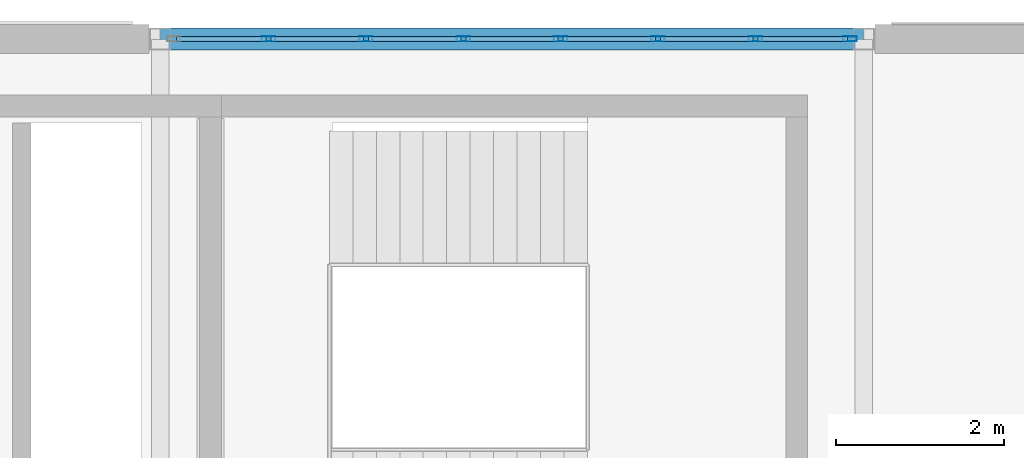
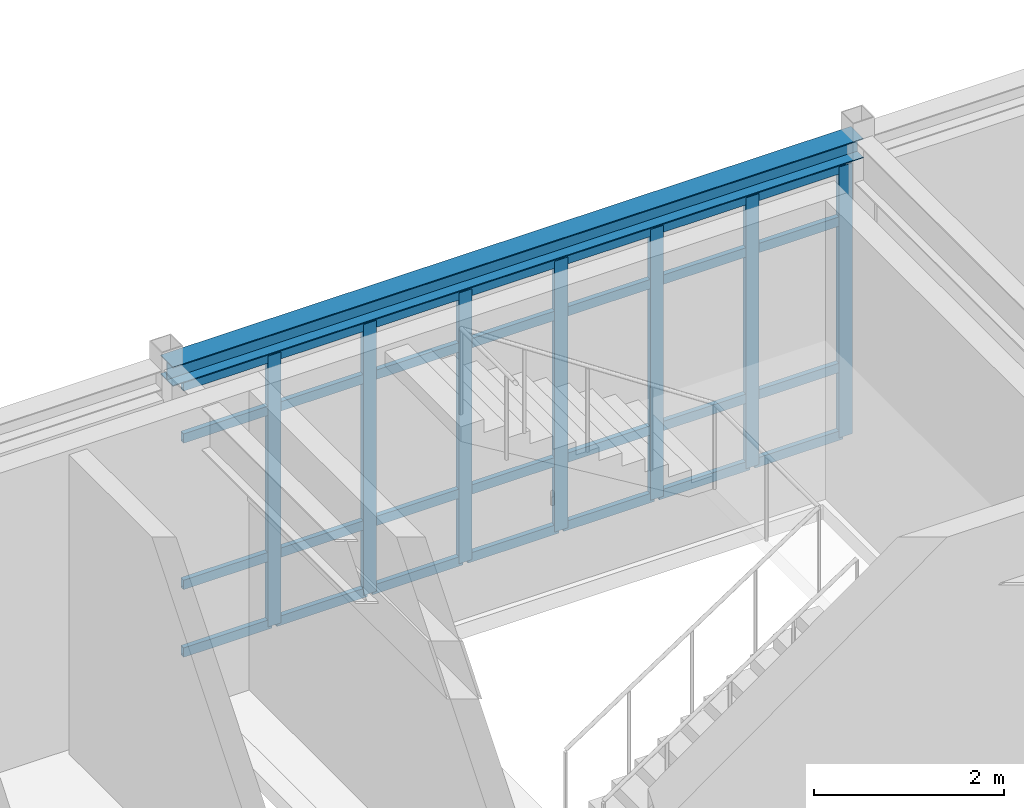
# One storey, part 107 of 189: 35 members, 1 beam, 1 element without a shape of its own.
"""IFC4 building model written with IfcOpenShell, lengths in metres."""

from ifc_helpers import new_model, si_unit, direction, frame, origin, origin_2d, place, context, subcontext, project, spatial, hollow_rectangle, i_section, extrude, material, layer, layer_set, material_profile, profile_set, type_object, element, aggregate, save


model = new_model("IFC4")

# Units and contexts
model_context = context("Model", 3, precision=1e-05, world=origin(), true_north=direction((0.0, 1.0)))
body_context = subcontext(model_context, "Body", "Model", "MODEL_VIEW")
ifc_project = project(units=[si_unit("LENGTHUNIT", "METRE"), si_unit("AREAUNIT", "SQUARE_METRE"), si_unit("VOLUMEUNIT", "CUBIC_METRE"), si_unit("PLANEANGLEUNIT", "RADIAN"), si_unit("MASSUNIT", "GRAM", prefix="KILO")], contexts=[model_context])

# Site, building, storey
site_placement = place(None, origin())
site = spatial("IfcSite", under=ifc_project, at=site_placement, CompositionType="ELEMENT")
building_placement = place(site_placement, origin())
building = spatial("IfcBuilding", under=site, at=building_placement, Name="Montecoro Central Library", CompositionType="ELEMENT")
storey_placement = place(building_placement, frame((0.0, 0.0, 9.179931640625)))
storey = spatial("IfcBuildingStorey", under=building, at=storey_placement, Name="L02", CompositionType="ELEMENT", Elevation=9.179931640625)

# Beam
ifc_material_1 = material(Name="Steel S355", Category="steel")
ifc_material_profile_1 = material_profile(ifc_material_1, i_section(OverallWidth=0.260009765625, OverallDepth=0.25, WebThickness=0.007568359375, FlangeThickness=0.012451171875, at=origin_2d()), Name="HEA 260")
ifc_profile_set_1 = profile_set([ifc_material_profile_1], Name="Steel S355")
beam_type = type_object("IfcBeamType", Name="BM-SP-HEA260", PredefinedType="SPANDREL", material=ifc_profile_set_1)
beam_placement = place(storey_placement, frame((100.0048828125, 119.0, 3.699951171875), z_axis=(1.0, 0.0, 0.0), x_axis=(0.0, 1.0, 0.0)))
element("IfcBeam", 1, at=beam_placement, inside=storey, type_object=beam_type, Name="V2-L02-BX-1314-R", PredefinedType="SPANDREL", context=body_context, shape_type="SweptSolid", body=[
    extrude(i_section(OverallWidth=0.260009765625, OverallDepth=0.25, WebThickness=0.007568359375, FlangeThickness=0.012451171875, at=origin_2d()), origin(), (0.0, 0.0, 1.0), 8.39013671875),
])

# Curtain wall, members
ifc_material_2 = material(Name="Bronze-anodised aluminium and low-E glazing", Category="aluminium")
ifc_layer = layer(ifc_material_2, 0.159912109375)
ifc_layer_set = layer_set([ifc_layer], Name="Bronze-anodised aluminium and low-E glazing")
curtain_wall_type = type_object("IfcCurtainWallType", Name="CWT-016", PredefinedType="NOTDEFINED", material=ifc_layer_set)
curtain_wall_placement = place(storey_placement, origin())
curtain_wall = element("IfcCurtainWall", 2, at=curtain_wall_placement, inside=storey, type_object=curtain_wall_type, Name="V2-L02-CW-N4", PredefinedType="NOTDEFINED")
ifc_material_3 = material(Name="Bronze-anodised aluminium", Category="aluminium")
ifc_material_profile_2 = material_profile(ifc_material_3, hollow_rectangle(XDim=0.06005859375, YDim=0.159912109375, WallThickness=0.00390625, at=origin_2d()), Name="CWM 160x60x4.0")
ifc_profile_set_2 = profile_set([ifc_material_profile_2], Name="Bronze-anodised aluminium")
member_type_1 = type_object("IfcMemberType", Name="CWM-BRZ-60", PredefinedType="MULLION", material=ifc_profile_set_2)
member_1_placement = place(storey_placement, frame((108.237060546875, 119.0, 0.0), z_axis=(0.0, 0.0, 1.0), x_axis=(0.0, -1.0, 0.0)))
member_1 = element("IfcMember", 3, at=member_1_placement, type_object=member_type_1, Name="CW-016 mullion 1", PredefinedType="MULLION", context=body_context, shape_type="SweptSolid", body=[
    extrude(hollow_rectangle(XDim=0.06005859375, YDim=0.159912109375, WallThickness=0.00390625, at=origin_2d()), origin(), (0.0, 0.0, 1.0), 3.47998046875),
])
member_2_placement = place(storey_placement, frame((107.10498046875, 119.0, 0.0), z_axis=(0.0, 0.0, 1.0), x_axis=(0.0, -1.0, 0.0)))
member_2 = element("IfcMember", 4, at=member_2_placement, type_object=member_type_1, Name="CW-016 mullion 2", PredefinedType="MULLION", context=body_context, shape_type="SweptSolid", body=[
    extrude(hollow_rectangle(XDim=0.06005859375, YDim=0.159912109375, WallThickness=0.00390625, at=origin_2d()), origin(), (0.0, 0.0, 1.0), 3.47998046875),
])
member_3_placement = place(storey_placement, frame((105.943115234375, 119.0, 0.0), z_axis=(0.0, 0.0, 1.0), x_axis=(0.0, -1.0, 0.0)))
member_3 = element("IfcMember", 5, at=member_3_placement, type_object=member_type_1, Name="CW-016 mullion 3", PredefinedType="MULLION", context=body_context, shape_type="SweptSolid", body=[
    extrude(hollow_rectangle(XDim=0.06005859375, YDim=0.159912109375, WallThickness=0.00390625, at=origin_2d()), origin(), (0.0, 0.0, 1.0), 3.47998046875),
])
member_4_placement = place(storey_placement, frame((104.781005859375, 119.0, 0.0), z_axis=(0.0, 0.0, 1.0), x_axis=(0.0, -1.0, 0.0)))
member_4 = element("IfcMember", 6, at=member_4_placement, type_object=member_type_1, Name="CW-016 mullion 4", PredefinedType="MULLION", context=body_context, shape_type="SweptSolid", body=[
    extrude(hollow_rectangle(XDim=0.06005859375, YDim=0.159912109375, WallThickness=0.00390625, at=origin_2d()), origin(), (0.0, 0.0, 1.0), 3.47998046875),
])
member_5_placement = place(storey_placement, frame((103.618896484375, 119.0, 0.0), z_axis=(0.0, 0.0, 1.0), x_axis=(0.0, -1.0, 0.0)))
member_5 = element("IfcMember", 7, at=member_5_placement, type_object=member_type_1, Name="CW-016 mullion 5", PredefinedType="MULLION", context=body_context, shape_type="SweptSolid", body=[
    extrude(hollow_rectangle(XDim=0.06005859375, YDim=0.159912109375, WallThickness=0.00390625, at=origin_2d()), origin(), (0.0, 0.0, 1.0), 3.47998046875),
])
member_6_placement = place(storey_placement, frame((102.45703125, 119.0, 0.0), z_axis=(0.0, 0.0, 1.0), x_axis=(0.0, -1.0, 0.0)))
member_6 = element("IfcMember", 8, at=member_6_placement, type_object=member_type_1, Name="CW-016 mullion 6", PredefinedType="MULLION", context=body_context, shape_type="SweptSolid", body=[
    extrude(hollow_rectangle(XDim=0.06005859375, YDim=0.159912109375, WallThickness=0.00390625, at=origin_2d()), origin(), (0.0, 0.0, 1.0), 3.47998046875),
])
member_7_placement = place(storey_placement, frame((101.294921875, 119.0, 0.0), z_axis=(0.0, 0.0, 1.0), x_axis=(0.0, -1.0, 0.0)))
member_7 = element("IfcMember", 9, at=member_7_placement, type_object=member_type_1, Name="CW-016 mullion 7", PredefinedType="MULLION", context=body_context, shape_type="SweptSolid", body=[
    extrude(hollow_rectangle(XDim=0.06005859375, YDim=0.159912109375, WallThickness=0.00390625, at=origin_2d()), origin(), (0.0, 0.0, 1.0), 3.47998046875),
])
ifc_material_profile_3 = material_profile(ifc_material_3, hollow_rectangle(XDim=0.06005859375, YDim=0.1201171875, WallThickness=0.00390625, at=origin_2d()), Name="CWT 120x60x4.0")
ifc_profile_set_3 = profile_set([ifc_material_profile_3], Name="Bronze-anodised aluminium")
member_type_2 = type_object("IfcMemberType", Name="CWT-BRZ-60", PredefinedType="USERDEFINED", material=ifc_profile_set_3)
member_8_placement = place(storey_placement, frame((108.20703125, 119.0, 0.030029296875), z_axis=(-1.0, 0.0, 0.0), x_axis=(0.0, -1.0, 0.0)))
member_8 = element("IfcMember", 10, at=member_8_placement, type_object=member_type_2, Name="CW-016 transom 1.1", ObjectType="TRANSOM", PredefinedType="USERDEFINED", context=body_context, shape_type="SweptSolid", body=[
    extrude(hollow_rectangle(XDim=0.06005859375, YDim=0.1201171875, WallThickness=0.00390625, at=origin_2d()), origin(), (0.0, 0.0, 1.0), 1.072021484375),
])
member_9_placement = place(storey_placement, frame((108.20703125, 119.0, 0.900146484375), z_axis=(-1.0, 0.0, 0.0), x_axis=(0.0, -1.0, 0.0)))
member_9 = element("IfcMember", 11, at=member_9_placement, type_object=member_type_2, Name="CW-016 transom 1.2", ObjectType="TRANSOM", PredefinedType="USERDEFINED", context=body_context, shape_type="SweptSolid", body=[
    extrude(hollow_rectangle(XDim=0.06005859375, YDim=0.1201171875, WallThickness=0.00390625, at=origin_2d()), origin(), (0.0, 0.0, 1.0), 1.072021484375),
])
member_10_placement = place(storey_placement, frame((108.20703125, 119.0, 2.780029296875), z_axis=(-1.0, 0.0, 0.0), x_axis=(0.0, -1.0, 0.0)))
member_10 = element("IfcMember", 12, at=member_10_placement, type_object=member_type_2, Name="CW-016 transom 1.3", ObjectType="TRANSOM", PredefinedType="USERDEFINED", context=body_context, shape_type="SweptSolid", body=[
    extrude(hollow_rectangle(XDim=0.06005859375, YDim=0.1201171875, WallThickness=0.00390625, at=origin_2d()), origin(), (0.0, 0.0, 1.0), 1.072021484375),
])
member_11_placement = place(storey_placement, frame((108.20703125, 119.0, 3.449951171875), z_axis=(-1.0, 0.0, 0.0), x_axis=(0.0, -1.0, 0.0)))
member_11 = element("IfcMember", 13, at=member_11_placement, type_object=member_type_2, Name="CW-016 transom 1.4", ObjectType="TRANSOM", PredefinedType="USERDEFINED", context=body_context, shape_type="SweptSolid", body=[
    extrude(hollow_rectangle(XDim=0.06005859375, YDim=0.1201171875, WallThickness=0.00390625, at=origin_2d()), origin(), (0.0, 0.0, 1.0), 1.072021484375),
])
member_12_placement = place(storey_placement, frame((107.074951171875, 119.0, 0.030029296875), z_axis=(-1.0, 0.0, 0.0), x_axis=(0.0, -1.0, 0.0)))
member_12 = element("IfcMember", 14, at=member_12_placement, type_object=member_type_2, Name="CW-016 transom 2.1", ObjectType="TRANSOM", PredefinedType="USERDEFINED", context=body_context, shape_type="SweptSolid", body=[
    extrude(hollow_rectangle(XDim=0.06005859375, YDim=0.1201171875, WallThickness=0.00390625, at=origin_2d()), origin(), (0.0, 0.0, 1.0), 1.10205078125),
])
member_13_placement = place(storey_placement, frame((107.074951171875, 119.0, 0.900146484375), z_axis=(-1.0, 0.0, 0.0), x_axis=(0.0, -1.0, 0.0)))
member_13 = element("IfcMember", 15, at=member_13_placement, type_object=member_type_2, Name="CW-016 transom 2.2", ObjectType="TRANSOM", PredefinedType="USERDEFINED", context=body_context, shape_type="SweptSolid", body=[
    extrude(hollow_rectangle(XDim=0.06005859375, YDim=0.1201171875, WallThickness=0.00390625, at=origin_2d()), origin(), (0.0, 0.0, 1.0), 1.10205078125),
])
member_14_placement = place(storey_placement, frame((107.074951171875, 119.0, 2.780029296875), z_axis=(-1.0, 0.0, 0.0), x_axis=(0.0, -1.0, 0.0)))
member_14 = element("IfcMember", 16, at=member_14_placement, type_object=member_type_2, Name="CW-016 transom 2.3", ObjectType="TRANSOM", PredefinedType="USERDEFINED", context=body_context, shape_type="SweptSolid", body=[
    extrude(hollow_rectangle(XDim=0.06005859375, YDim=0.1201171875, WallThickness=0.00390625, at=origin_2d()), origin(), (0.0, 0.0, 1.0), 1.10205078125),
])
member_15_placement = place(storey_placement, frame((107.074951171875, 119.0, 3.449951171875), z_axis=(-1.0, 0.0, 0.0), x_axis=(0.0, -1.0, 0.0)))
member_15 = element("IfcMember", 17, at=member_15_placement, type_object=member_type_2, Name="CW-016 transom 2.4", ObjectType="TRANSOM", PredefinedType="USERDEFINED", context=body_context, shape_type="SweptSolid", body=[
    extrude(hollow_rectangle(XDim=0.06005859375, YDim=0.1201171875, WallThickness=0.00390625, at=origin_2d()), origin(), (0.0, 0.0, 1.0), 1.10205078125),
])
member_16_placement = place(storey_placement, frame((105.9130859375, 119.0, 0.030029296875), z_axis=(-1.0, 0.0, 0.0), x_axis=(0.0, -1.0, 0.0)))
member_16 = element("IfcMember", 18, at=member_16_placement, type_object=member_type_2, Name="CW-016 transom 3.1", ObjectType="TRANSOM", PredefinedType="USERDEFINED", context=body_context, shape_type="SweptSolid", body=[
    extrude(hollow_rectangle(XDim=0.06005859375, YDim=0.1201171875, WallThickness=0.00390625, at=origin_2d()), origin(), (0.0, 0.0, 1.0), 1.10205078125),
])
member_17_placement = place(storey_placement, frame((105.9130859375, 119.0, 0.900146484375), z_axis=(-1.0, 0.0, 0.0), x_axis=(0.0, -1.0, 0.0)))
member_17 = element("IfcMember", 19, at=member_17_placement, type_object=member_type_2, Name="CW-016 transom 3.2", ObjectType="TRANSOM", PredefinedType="USERDEFINED", context=body_context, shape_type="SweptSolid", body=[
    extrude(hollow_rectangle(XDim=0.06005859375, YDim=0.1201171875, WallThickness=0.00390625, at=origin_2d()), origin(), (0.0, 0.0, 1.0), 1.10205078125),
])
member_18_placement = place(storey_placement, frame((105.9130859375, 119.0, 2.780029296875), z_axis=(-1.0, 0.0, 0.0), x_axis=(0.0, -1.0, 0.0)))
member_18 = element("IfcMember", 20, at=member_18_placement, type_object=member_type_2, Name="CW-016 transom 3.3", ObjectType="TRANSOM", PredefinedType="USERDEFINED", context=body_context, shape_type="SweptSolid", body=[
    extrude(hollow_rectangle(XDim=0.06005859375, YDim=0.1201171875, WallThickness=0.00390625, at=origin_2d()), origin(), (0.0, 0.0, 1.0), 1.10205078125),
])
member_19_placement = place(storey_placement, frame((105.9130859375, 119.0, 3.449951171875), z_axis=(-1.0, 0.0, 0.0), x_axis=(0.0, -1.0, 0.0)))
member_19 = element("IfcMember", 21, at=member_19_placement, type_object=member_type_2, Name="CW-016 transom 3.4", ObjectType="TRANSOM", PredefinedType="USERDEFINED", context=body_context, shape_type="SweptSolid", body=[
    extrude(hollow_rectangle(XDim=0.06005859375, YDim=0.1201171875, WallThickness=0.00390625, at=origin_2d()), origin(), (0.0, 0.0, 1.0), 1.10205078125),
])
member_20_placement = place(storey_placement, frame((104.7509765625, 119.0, 0.030029296875), z_axis=(-1.0, 0.0, 0.0), x_axis=(0.0, -1.0, 0.0)))
member_20 = element("IfcMember", 22, at=member_20_placement, type_object=member_type_2, Name="CW-016 transom 4.1", ObjectType="TRANSOM", PredefinedType="USERDEFINED", context=body_context, shape_type="SweptSolid", body=[
    extrude(hollow_rectangle(XDim=0.06005859375, YDim=0.1201171875, WallThickness=0.00390625, at=origin_2d()), origin(), (0.0, 0.0, 1.0), 1.10205078125),
])
member_21_placement = place(storey_placement, frame((104.7509765625, 119.0, 0.900146484375), z_axis=(-1.0, 0.0, 0.0), x_axis=(0.0, -1.0, 0.0)))
member_21 = element("IfcMember", 23, at=member_21_placement, type_object=member_type_2, Name="CW-016 transom 4.2", ObjectType="TRANSOM", PredefinedType="USERDEFINED", context=body_context, shape_type="SweptSolid", body=[
    extrude(hollow_rectangle(XDim=0.06005859375, YDim=0.1201171875, WallThickness=0.00390625, at=origin_2d()), origin(), (0.0, 0.0, 1.0), 1.10205078125),
])
member_22_placement = place(storey_placement, frame((104.7509765625, 119.0, 2.780029296875), z_axis=(-1.0, 0.0, 0.0), x_axis=(0.0, -1.0, 0.0)))
member_22 = element("IfcMember", 24, at=member_22_placement, type_object=member_type_2, Name="CW-016 transom 4.3", ObjectType="TRANSOM", PredefinedType="USERDEFINED", context=body_context, shape_type="SweptSolid", body=[
    extrude(hollow_rectangle(XDim=0.06005859375, YDim=0.1201171875, WallThickness=0.00390625, at=origin_2d()), origin(), (0.0, 0.0, 1.0), 1.10205078125),
])
member_23_placement = place(storey_placement, frame((104.7509765625, 119.0, 3.449951171875), z_axis=(-1.0, 0.0, 0.0), x_axis=(0.0, -1.0, 0.0)))
member_23 = element("IfcMember", 25, at=member_23_placement, type_object=member_type_2, Name="CW-016 transom 4.4", ObjectType="TRANSOM", PredefinedType="USERDEFINED", context=body_context, shape_type="SweptSolid", body=[
    extrude(hollow_rectangle(XDim=0.06005859375, YDim=0.1201171875, WallThickness=0.00390625, at=origin_2d()), origin(), (0.0, 0.0, 1.0), 1.10205078125),
])
member_24_placement = place(storey_placement, frame((103.589111328125, 119.0, 0.030029296875), z_axis=(-1.0, 0.0, 0.0), x_axis=(0.0, -1.0, 0.0)))
member_24 = element("IfcMember", 26, at=member_24_placement, type_object=member_type_2, Name="CW-016 transom 5.1", ObjectType="TRANSOM", PredefinedType="USERDEFINED", context=body_context, shape_type="SweptSolid", body=[
    extrude(hollow_rectangle(XDim=0.06005859375, YDim=0.1201171875, WallThickness=0.00390625, at=origin_2d()), origin(), (0.0, 0.0, 1.0), 1.10205078125),
])
member_25_placement = place(storey_placement, frame((103.589111328125, 119.0, 0.900146484375), z_axis=(-1.0, 0.0, 0.0), x_axis=(0.0, -1.0, 0.0)))
member_25 = element("IfcMember", 27, at=member_25_placement, type_object=member_type_2, Name="CW-016 transom 5.2", ObjectType="TRANSOM", PredefinedType="USERDEFINED", context=body_context, shape_type="SweptSolid", body=[
    extrude(hollow_rectangle(XDim=0.06005859375, YDim=0.1201171875, WallThickness=0.00390625, at=origin_2d()), origin(), (0.0, 0.0, 1.0), 1.10205078125),
])
member_26_placement = place(storey_placement, frame((103.589111328125, 119.0, 2.780029296875), z_axis=(-1.0, 0.0, 0.0), x_axis=(0.0, -1.0, 0.0)))
member_26 = element("IfcMember", 28, at=member_26_placement, type_object=member_type_2, Name="CW-016 transom 5.3", ObjectType="TRANSOM", PredefinedType="USERDEFINED", context=body_context, shape_type="SweptSolid", body=[
    extrude(hollow_rectangle(XDim=0.06005859375, YDim=0.1201171875, WallThickness=0.00390625, at=origin_2d()), origin(), (0.0, 0.0, 1.0), 1.10205078125),
])
member_27_placement = place(storey_placement, frame((103.589111328125, 119.0, 3.449951171875), z_axis=(-1.0, 0.0, 0.0), x_axis=(0.0, -1.0, 0.0)))
member_27 = element("IfcMember", 29, at=member_27_placement, type_object=member_type_2, Name="CW-016 transom 5.4", ObjectType="TRANSOM", PredefinedType="USERDEFINED", context=body_context, shape_type="SweptSolid", body=[
    extrude(hollow_rectangle(XDim=0.06005859375, YDim=0.1201171875, WallThickness=0.00390625, at=origin_2d()), origin(), (0.0, 0.0, 1.0), 1.10205078125),
])
member_28_placement = place(storey_placement, frame((102.427001953125, 119.0, 0.030029296875), z_axis=(-1.0, 0.0, 0.0), x_axis=(0.0, -1.0, 0.0)))
member_28 = element("IfcMember", 30, at=member_28_placement, type_object=member_type_2, Name="CW-016 transom 6.1", ObjectType="TRANSOM", PredefinedType="USERDEFINED", context=body_context, shape_type="SweptSolid", body=[
    extrude(hollow_rectangle(XDim=0.06005859375, YDim=0.1201171875, WallThickness=0.00390625, at=origin_2d()), origin(), (0.0, 0.0, 1.0), 1.10205078125),
])
member_29_placement = place(storey_placement, frame((102.427001953125, 119.0, 0.900146484375), z_axis=(-1.0, 0.0, 0.0), x_axis=(0.0, -1.0, 0.0)))
member_29 = element("IfcMember", 31, at=member_29_placement, type_object=member_type_2, Name="CW-016 transom 6.2", ObjectType="TRANSOM", PredefinedType="USERDEFINED", context=body_context, shape_type="SweptSolid", body=[
    extrude(hollow_rectangle(XDim=0.06005859375, YDim=0.1201171875, WallThickness=0.00390625, at=origin_2d()), origin(), (0.0, 0.0, 1.0), 1.10205078125),
])
member_30_placement = place(storey_placement, frame((102.427001953125, 119.0, 2.780029296875), z_axis=(-1.0, 0.0, 0.0), x_axis=(0.0, -1.0, 0.0)))
member_30 = element("IfcMember", 32, at=member_30_placement, type_object=member_type_2, Name="CW-016 transom 6.3", ObjectType="TRANSOM", PredefinedType="USERDEFINED", context=body_context, shape_type="SweptSolid", body=[
    extrude(hollow_rectangle(XDim=0.06005859375, YDim=0.1201171875, WallThickness=0.00390625, at=origin_2d()), origin(), (0.0, 0.0, 1.0), 1.10205078125),
])
member_31_placement = place(storey_placement, frame((102.427001953125, 119.0, 3.449951171875), z_axis=(-1.0, 0.0, 0.0), x_axis=(0.0, -1.0, 0.0)))
member_31 = element("IfcMember", 33, at=member_31_placement, type_object=member_type_2, Name="CW-016 transom 6.4", ObjectType="TRANSOM", PredefinedType="USERDEFINED", context=body_context, shape_type="SweptSolid", body=[
    extrude(hollow_rectangle(XDim=0.06005859375, YDim=0.1201171875, WallThickness=0.00390625, at=origin_2d()), origin(), (0.0, 0.0, 1.0), 1.10205078125),
])
member_32_placement = place(storey_placement, frame((101.264892578125, 119.0, 0.030029296875), z_axis=(-1.0, 0.0, 0.0), x_axis=(0.0, -1.0, 0.0)))
member_32 = element("IfcMember", 34, at=member_32_placement, type_object=member_type_2, Name="CW-016 transom 7.1", ObjectType="TRANSOM", PredefinedType="USERDEFINED", context=body_context, shape_type="SweptSolid", body=[
    extrude(hollow_rectangle(XDim=0.06005859375, YDim=0.1201171875, WallThickness=0.00390625, at=origin_2d()), origin(), (0.0, 0.0, 1.0), 1.07177734375),
])
member_33_placement = place(storey_placement, frame((101.264892578125, 119.0, 0.900146484375), z_axis=(-1.0, 0.0, 0.0), x_axis=(0.0, -1.0, 0.0)))
member_33 = element("IfcMember", 35, at=member_33_placement, type_object=member_type_2, Name="CW-016 transom 7.2", ObjectType="TRANSOM", PredefinedType="USERDEFINED", context=body_context, shape_type="SweptSolid", body=[
    extrude(hollow_rectangle(XDim=0.06005859375, YDim=0.1201171875, WallThickness=0.00390625, at=origin_2d()), origin(), (0.0, 0.0, 1.0), 1.07177734375),
])
member_34_placement = place(storey_placement, frame((101.264892578125, 119.0, 2.780029296875), z_axis=(-1.0, 0.0, 0.0), x_axis=(0.0, -1.0, 0.0)))
member_34 = element("IfcMember", 36, at=member_34_placement, type_object=member_type_2, Name="CW-016 transom 7.3", ObjectType="TRANSOM", PredefinedType="USERDEFINED", context=body_context, shape_type="SweptSolid", body=[
    extrude(hollow_rectangle(XDim=0.06005859375, YDim=0.1201171875, WallThickness=0.00390625, at=origin_2d()), origin(), (0.0, 0.0, 1.0), 1.07177734375),
])
member_35_placement = place(storey_placement, frame((101.264892578125, 119.0, 3.449951171875), z_axis=(-1.0, 0.0, 0.0), x_axis=(0.0, -1.0, 0.0)))
member_35 = element("IfcMember", 37, at=member_35_placement, type_object=member_type_2, Name="CW-016 transom 7.4", ObjectType="TRANSOM", PredefinedType="USERDEFINED", context=body_context, shape_type="SweptSolid", body=[
    extrude(hollow_rectangle(XDim=0.06005859375, YDim=0.1201171875, WallThickness=0.00390625, at=origin_2d()), origin(), (0.0, 0.0, 1.0), 1.07177734375),
])
aggregate(curtain_wall, [member_1, member_2, member_3, member_4, member_5, member_6, member_7, member_8, member_9, member_10, member_11, member_12, member_13, member_14, member_15, member_16, member_17, member_18, member_19, member_20, member_21, member_22, member_23, member_24, member_25, member_26, member_27, member_28, member_29, member_30, member_31, member_32, member_33, member_34, member_35])

save(model, "model.ifc")
